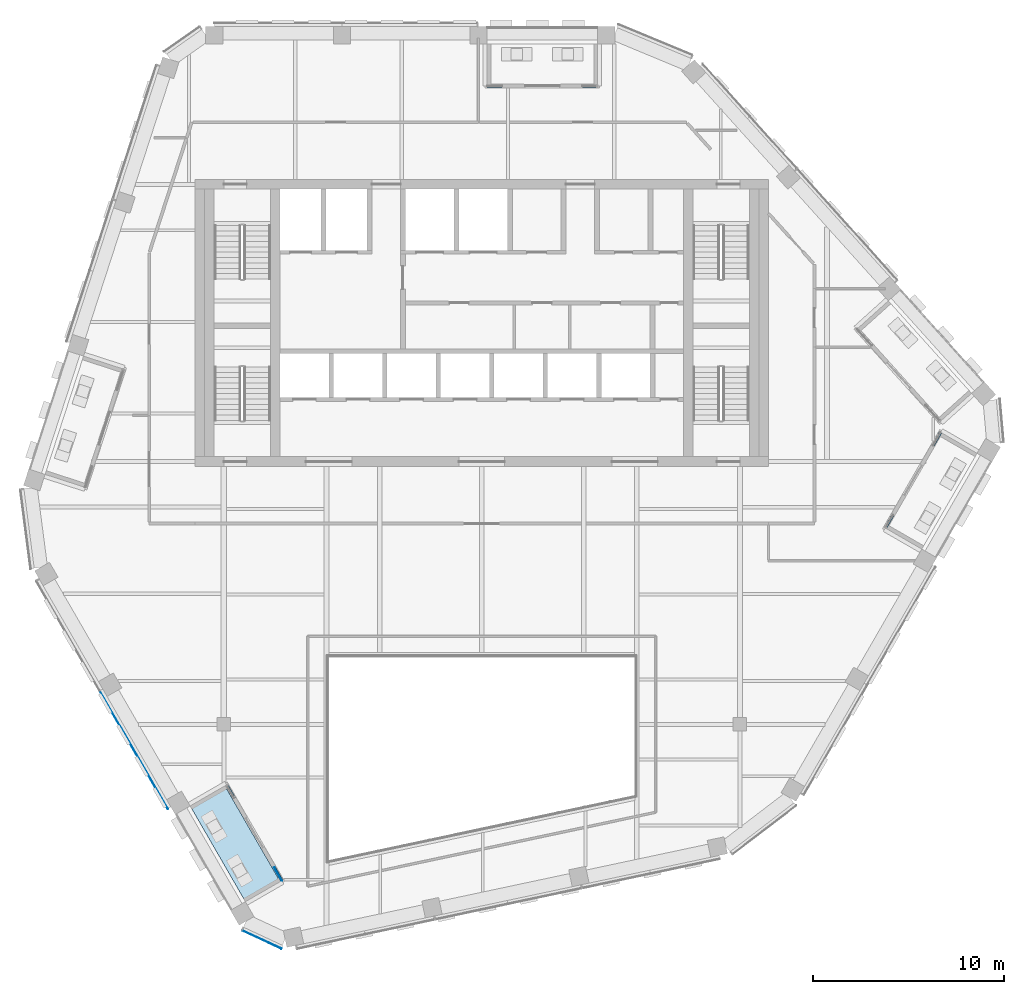
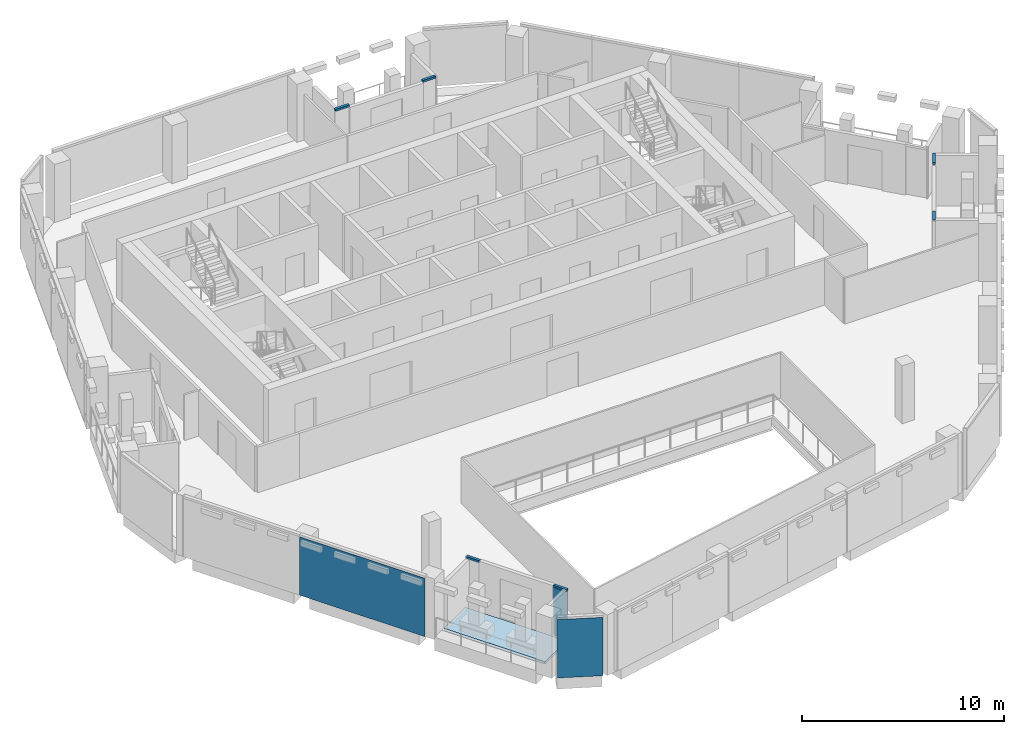
# One storey, part 9 of 22: 6 members, 3 plates, 1 slab, 5 elements without a shape of their own.
"""IFC4 building model written with IfcOpenShell, lengths in metres."""

from ifc_helpers import new_model, si_unit, direction, frame, origin, origin_2d, place, context, subcontext, project, spatial, polyline, rectangle, outline, extrude, material, layer, layer_set, material_profile, profile_set, type_object, element, aggregate, save


model = new_model("IFC4")

# Units and contexts
model_context = context("Model", 3, precision=1e-05, world=origin(), true_north=direction((0.0, 1.0)))
body_context = subcontext(model_context, "Body", "Model", "MODEL_VIEW")
ifc_project = project(units=[si_unit("LENGTHUNIT", "METRE"), si_unit("AREAUNIT", "SQUARE_METRE"), si_unit("VOLUMEUNIT", "CUBIC_METRE"), si_unit("PLANEANGLEUNIT", "RADIAN"), si_unit("MASSUNIT", "GRAM", prefix="KILO")], contexts=[model_context])

# Site, building, storey
site_placement = place(None, origin())
site = spatial("IfcSite", under=ifc_project, at=site_placement, CompositionType="ELEMENT")
building_placement = place(site_placement, origin())
building = spatial("IfcBuilding", under=site, at=building_placement, Name="Isthmus Gate Tower", CompositionType="ELEMENT")
storey_placement = place(building_placement, frame((0.0, 0.0, 264.60009765625)))
storey = spatial("IfcBuildingStorey", under=building, at=storey_placement, Name="L67", CompositionType="ELEMENT", Elevation=264.60009765625)

# Curtain wall, members
ifc_material_1 = material(Name="Aluminium, pale champagne anodised", Category="aluminium")
ifc_layer_1 = layer(ifc_material_1, 0.14990234375)
ifc_layer_set_1 = layer_set([ifc_layer_1], Name="CW-6 LOGGIA BACK WALL GLAZING 150 DEEP")
curtain_wall_type_1 = type_object("IfcCurtainWallType", Name="CW-6 LOGGIA BACK WALL GLAZING 150 DEEP", PredefinedType="NOTDEFINED", material=ifc_layer_set_1)
curtain_wall_1_placement = place(storey_placement, origin())
curtain_wall_1 = element("IfcCurtainWall", 1, at=curtain_wall_1_placement, inside=storey, type_object=curtain_wall_type_1, Name="CW-6 N L67", PredefinedType="NOTDEFINED")
ifc_material_2 = material(Name="Aluminium, pale champagne anodised", Category="aluminium")
ifc_material_profile = material_profile(ifc_material_2, rectangle(XDim=0.14990234375, YDim=0.1201171875, at=origin_2d()), Name="150x120")
ifc_profile_set = profile_set([ifc_material_profile], Name="Aluminium, pale champagne anodised")
member_type = type_object("IfcMemberType", Name="CW-6 TRANSOM 150 X 120", PredefinedType="USERDEFINED", material=ifc_profile_set)
member_1_placement = place(storey_placement, frame((5.99951171875, 19.89990234375, 2.989990234375), z_axis=(-1.0, 0.0, 0.0), x_axis=(0.0, -1.0, 0.0)))
member_1 = element("IfcMember", 2, at=member_1_placement, type_object=member_type, Name="CW-6 transom", ObjectType="TRANSOM", PredefinedType="USERDEFINED", context=body_context, shape_type="SweptSolid", body=[
    extrude(rectangle(XDim=0.14990234375, YDim=0.1201171875, at=origin_2d()), origin(), (0.0, 0.0, 1.0), 0.732421875),
])
member_2_placement = place(storey_placement, frame((1.067138671875, 19.89990234375, 2.989990234375), z_axis=(-1.0, 0.0, 0.0), x_axis=(0.0, -1.0, 0.0)))
member_2 = element("IfcMember", 3, at=member_2_placement, type_object=member_type, Name="CW-6 transom", ObjectType="TRANSOM", PredefinedType="USERDEFINED", context=body_context, shape_type="SweptSolid", body=[
    extrude(rectangle(XDim=0.14990234375, YDim=0.1201171875, at=origin_2d()), origin(), (0.0, 0.0, 1.0), 0.792236328125),
])
aggregate(curtain_wall_1, [member_1, member_2])

curtain_wall_2_placement = place(storey_placement, origin())
curtain_wall_2 = element("IfcCurtainWall", 4, at=curtain_wall_2_placement, inside=storey, type_object=curtain_wall_type_1, Name="CW-6 SW L67", PredefinedType="NOTDEFINED")
member_3_placement = place(storey_placement, frame((-13.32421875, -16.721923828125, 2.989990234375), z_axis=(0.500011000363, -0.866019052629, 0.0), x_axis=(0.866019052629, 0.500011000363, 0.0)))
member_3 = element("IfcMember", 5, at=member_3_placement, type_object=member_type, Name="CW-6 transom", ObjectType="TRANSOM", PredefinedType="USERDEFINED", context=body_context, shape_type="SweptSolid", body=[
    extrude(rectangle(XDim=0.14990234375, YDim=0.1201171875, at=origin_2d()), origin(), (0.0, 0.0, 1.0), 0.732421875),
])
member_4_placement = place(storey_placement, frame((-10.85791015625, -20.993408203125, 2.989990234375), z_axis=(0.499784693506, -0.866149675366, 0.0), x_axis=(0.866149675366, 0.499784693506, 0.0)))
member_4 = element("IfcMember", 6, at=member_4_placement, type_object=member_type, Name="CW-6 transom", ObjectType="TRANSOM", PredefinedType="USERDEFINED", context=body_context, shape_type="SweptSolid", body=[
    extrude(rectangle(XDim=0.14990234375, YDim=0.1201171875, at=origin_2d()), origin(), (0.0, 0.0, 1.0), 0.792236328125),
])

curtain_wall_3_placement = place(storey_placement, origin())
curtain_wall_3 = element("IfcCurtainWall", 7, at=curtain_wall_3_placement, inside=storey, type_object=curtain_wall_type_1, Name="CW-6 SE L67", PredefinedType="NOTDEFINED")
member_5_placement = place(storey_placement, frame((21.143798828125, -3.177978515625, 2.989990234375), z_axis=(0.499905289531, 0.866080077994, 0.0), x_axis=(-0.866080077994, 0.499905289531, 0.0)))
member_5 = element("IfcMember", 8, at=member_5_placement, type_object=member_type, Name="CW-6 transom", ObjectType="TRANSOM", PredefinedType="USERDEFINED", context=body_context, shape_type="SweptSolid", body=[
    extrude(rectangle(XDim=0.14990234375, YDim=0.1201171875, at=origin_2d()), origin(), (0.0, 0.0, 1.0), 0.732177734375),
])
member_6_placement = place(storey_placement, frame((23.60986328125, 1.093505859375, 2.989990234375), z_axis=(0.499918108492, 0.866072678707, 0.0), x_axis=(-0.866072678707, 0.499918108492, 0.0)))
member_6 = element("IfcMember", 9, at=member_6_placement, type_object=member_type, Name="CW-6 transom", ObjectType="TRANSOM", PredefinedType="USERDEFINED", context=body_context, shape_type="SweptSolid", body=[
    extrude(rectangle(XDim=0.14990234375, YDim=0.1201171875, at=origin_2d()), origin(), (0.0, 0.0, 1.0), 0.792236328125),
])
aggregate(curtain_wall_3, [member_5, member_6])

# Curtain wall, plate
ifc_material_3 = material(Name="Aluminium, pale champagne anodised", Category="aluminium")
ifc_layer_2 = layer(ifc_material_3, 0.199951171875)
ifc_layer_set_2 = layer_set([ifc_layer_2], Name="CW-1 UNITISED CURTAIN WALL 200 DEEP")
curtain_wall_type_2 = type_object("IfcCurtainWallType", Name="CW-1 UNITISED CURTAIN WALL 200 DEEP", PredefinedType="NOTDEFINED", material=ifc_layer_set_2)
curtain_wall_4_placement = place(storey_placement, origin())
curtain_wall_4 = element("IfcCurtainWall", 10, at=curtain_wall_4_placement, inside=storey, type_object=curtain_wall_type_2, Name="CW-1 SW L67", PredefinedType="NOTDEFINED")
ifc_material_4 = material(Name="Laminated low-iron glass, pale blue tint", Category="glass")
ifc_layer_3 = layer(ifc_material_4, 0.031982421875)
ifc_layer_set_3 = layer_set([ifc_layer_3], Name="CW-1 CLEAR GLASS LITE 32")
plate_type_1 = type_object("IfcPlateType", Name="CW-1 CLEAR GLASS LITE 32", PredefinedType="CURTAIN_PANEL", material=ifc_layer_set_3)
plate_1_placement = place(storey_placement, frame((-18.206787109375, -14.8330078125, 0.0), z_axis=(0.0, 0.0, 1.0), x_axis=(0.5, -0.866025403784, 0.0)))
plate_1 = element("IfcPlate", 11, at=plate_1_placement, type_object=plate_type_1, Name="CW-1 glass lite", PredefinedType="CURTAIN_PANEL", context=body_context, shape_type="SweptSolid", body=[
    extrude(rectangle(XDim=7.134521484375, YDim=0.031982421875, at=origin_2d()), origin(), (0.0, 0.0, 1.0), 3.52001953125),
])
aggregate(curtain_wall_4, [plate_1])

curtain_wall_5_placement = place(storey_placement, origin())
curtain_wall_5 = element("IfcCurtainWall", 12, at=curtain_wall_5_placement, inside=storey, type_object=curtain_wall_type_2, Name="CW-1 SW-S L67", PredefinedType="NOTDEFINED")
plate_2_placement = place(storey_placement, frame((-11.50341796875, -24.764892578125, 0.0), z_axis=(0.0, 0.0, 1.0), x_axis=(0.907256261367, -0.420578264073, 0.0)))
plate_2 = element("IfcPlate", 13, at=plate_2_placement, type_object=plate_type_1, Name="CW-1 glass lite", PredefinedType="CURTAIN_PANEL", context=body_context, shape_type="SweptSolid", body=[
    extrude(rectangle(XDim=2.258544921875, YDim=0.031982421875, at=origin_2d()), origin(), (0.0, 0.0, 1.0), 3.52001953125),
])
aggregate(curtain_wall_5, [plate_2])

# Plate
ifc_material_5 = material(Name="Laminated low-iron glass, clear", Category="glass")
ifc_layer_4 = layer(ifc_material_5, 0.031982421875)
ifc_layer_set_4 = layer_set([ifc_layer_4], Name="CW-6 CLEAR GLASS LITE 32")
plate_type_2 = type_object("IfcPlateType", Name="CW-6 CLEAR GLASS LITE 32", PredefinedType="CURTAIN_PANEL", material=ifc_layer_set_4)
plate_3_placement = place(storey_placement, frame((-10.659912109375, -21.33642578125, 0.0), z_axis=(0.0, 0.0, 1.0), x_axis=(0.5, -0.866025403784, 0.0)))
plate_3 = element("IfcPlate", 14, at=plate_3_placement, type_object=plate_type_2, Name="CW-6 glass lite", PredefinedType="CURTAIN_PANEL", context=body_context, shape_type="SweptSolid", body=[
    extrude(rectangle(XDim=0.792236328125, YDim=0.031982421875, at=origin_2d()), origin(), (0.0, 0.0, 1.0), 2.929931640625),
])

aggregate(curtain_wall_2, [member_3, member_4, plate_3])

# Slab
ifc_material_6 = material(Name="Concrete f'c 50 MPa", Category="concrete")
ifc_layer_5 = layer(ifc_material_6, 0.14990234375)
ifc_layer_set_5 = layer_set([ifc_layer_5], Name="LOGGIA FLOOR SLAB 150")
slab_type = type_object("IfcSlabType", Name="LOGGIA FLOOR SLAB 150", PredefinedType="FLOOR", material=ifc_layer_set_5)
slab_placement = place(storey_placement, frame((0.0, 0.0, -0.150146484375)))
element("IfcSlab", 15, at=slab_placement, inside=storey, type_object=slab_type, Name="LOGGIA FLOOR", PredefinedType="FLOOR", context=body_context, shape_type="SweptSolid", body=[
    extrude(outline(polyline([(-15.25927734375, -17.77001953125), (-12.3671875, -22.779541015625), (-10.54833984375, -21.7294921875), (-13.440673828125, -16.719970703125), (-15.25927734375, -17.77001953125)])), origin(), (0.0, 0.0, 1.0), 0.150146484375),
])

save(model, "model.ifc")
